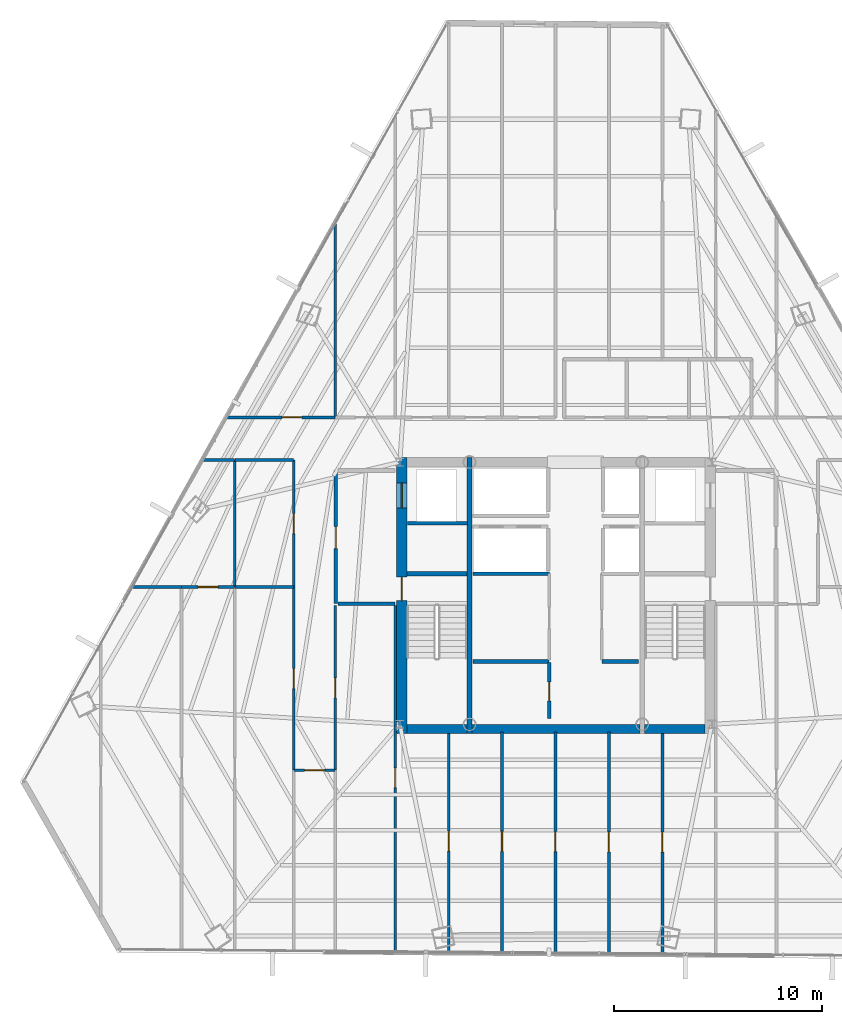
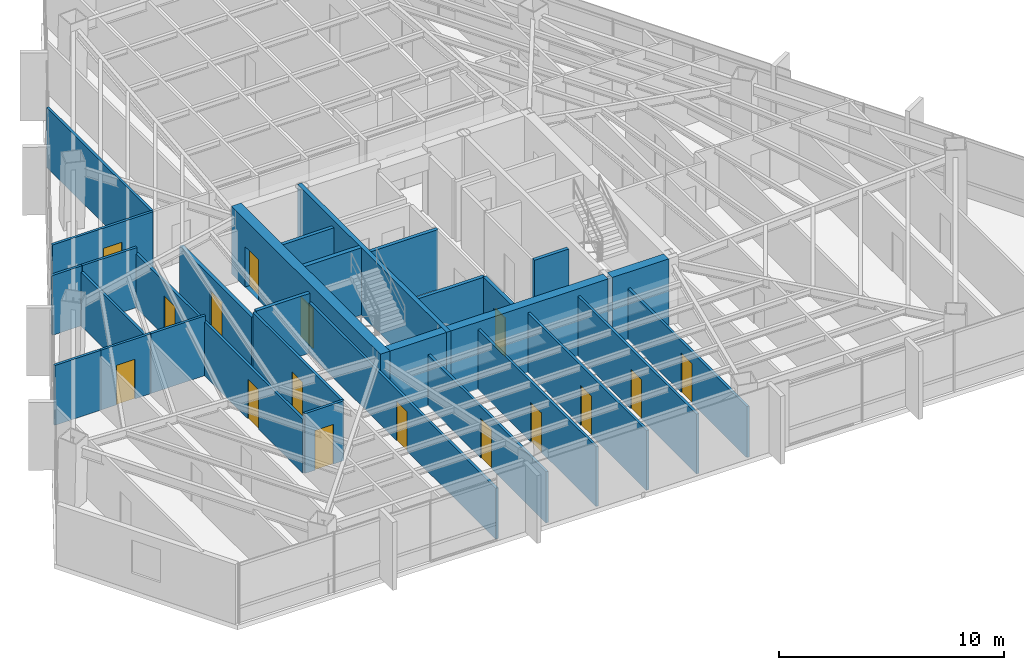
# One storey, part 34 of 40: 31 walls, 16 doors, 16 openings.
"""IFC4 building model written with IfcOpenShell, lengths in metres."""

from ifc_helpers import new_model, si_unit, direction, frame, frame_2d, origin, place, context, subcontext, project, spatial, rectangle, extrude, material, layer, layer_set, type_object, element, fill, save


model = new_model("IFC4")

# Units and contexts
model_context = context("Model", 3, precision=1e-05, world=origin(), true_north=direction((0.0, 1.0)))
body_context = subcontext(model_context, "Body", "Model", "MODEL_VIEW")
ifc_project = project(units=[si_unit("LENGTHUNIT", "METRE"), si_unit("AREAUNIT", "SQUARE_METRE"), si_unit("VOLUMEUNIT", "CUBIC_METRE"), si_unit("PLANEANGLEUNIT", "RADIAN"), si_unit("MASSUNIT", "GRAM", prefix="KILO")], contexts=[model_context])

# Site, building, storey
site_placement = place(None, origin())
site = spatial("IfcSite", under=ifc_project, at=site_placement, CompositionType="ELEMENT")
building_placement = place(site_placement, origin())
building = spatial("IfcBuilding", under=site, at=building_placement, Name="Caelisora Broadcast Tower", CompositionType="ELEMENT")
storey_placement = place(building_placement, frame((0.0, 0.0, 146.39990234375)))
storey = spatial("IfcBuildingStorey", under=building, at=storey_placement, Name="L38", CompositionType="ELEMENT", Elevation=146.39990234375)

# Wall, openings, doors
ifc_material_1 = material(Name="Concrete 50 MPa (AS 3600 S50)", Category="concrete")
ifc_layer_1 = layer(ifc_material_1, 0.5, Name="Concrete 50 MPa (AS 3600 S50)")
ifc_layer_set_1 = layer_set([ifc_layer_1], Name="Concrete 50 MPa (AS 3600 S50)")
wall_type_1 = type_object("IfcWallType", Name="CW2", PredefinedType="SHEAR", material=ifc_layer_set_1)
wall_1_placement = place(storey_placement, frame((30.590087890625, 16.949951171875, 0.0), z_axis=(0.0, 0.0, 1.0), x_axis=(0.0, 1.0, 0.0)))
wall_1 = element("IfcWall", 1, at=wall_1_placement, inside=storey, type_object=wall_type_1, Name="L38 core shear wall CW2", PredefinedType="SHEAR", context=body_context, shape_type="SweptSolid", body=[
    extrude(rectangle(XDim=13.275146484375, YDim=0.5, at=frame_2d((6.6376953125, 0.0))), origin(), (0.0, 0.0, 1.0), 3.650146484375),
])
opening_1_placement = place(wall_1_placement, frame((6.39990234375, 0.0, 0.0)))
opening_1 = element("IfcOpeningElement", 2, at=opening_1_placement, cuts=wall_1, Name="Opening FD04", PredefinedType="OPENING", context=body_context, shape_type="SweptSolid", body=[
    extrude(rectangle(XDim=1.1201171875, YDim=2.14990234375, at=frame_2d((0.56005859375, 1.074951171875))), frame((0.0, 0.261962890625, 0.0), z_axis=(0.0, -1.0, 0.0), x_axis=(1.0, 0.0, 0.0)), (0.0, 0.0, 1.0), 0.52392578125),
])
opening_2_placement = place(wall_1_placement, frame((10.85009765625, 0.0, 0.0)))
opening_2 = element("IfcOpeningElement", 3, at=opening_2_placement, cuts=wall_1, Name="Opening LD04", PredefinedType="OPENING", context=body_context, shape_type="SweptSolid", body=[
    extrude(rectangle(XDim=1.199951171875, YDim=2.199951171875, at=frame_2d((0.60009765625, 1.10009765625))), frame((0.0, 0.261962890625, 0.0), z_axis=(0.0, -1.0, 0.0), x_axis=(1.0, 0.0, 0.0)), (0.0, 0.0, 1.0), 0.52392578125),
])
ifc_material_2 = material(Name="Pressurised Fire-Isolated Stair Door", Category="steel")
door_type_1 = type_object("IfcDoorType", Name="FD04", OperationType="NOTDEFINED", PredefinedType="DOOR", material=ifc_material_2)
door_1_placement = place(opening_1_placement, origin())
door_1 = element("IfcDoor", 4, at=door_1_placement, inside=storey, type_object=door_type_1, Name="L38 door FD04 (L38-DR-ST1)", OperationType="SINGLE_SWING_LEFT", OverallHeight=2.14990234375, OverallWidth=1.1201171875, PredefinedType="DOOR", context=body_context, shape_type="SweptSolid", body=[
    extrude(rectangle(XDim=1.1201171875, YDim=2.14990234375, at=frame_2d((0.56005859375, 1.074951171875))), frame((0.0, 0.02490234375, 0.0), z_axis=(0.0, -1.0, 0.0), x_axis=(1.0, 0.0, 0.0)), (0.0, 0.0, 1.0), 0.050048828125),
])
fill(opening_1, door_1)
ifc_material_3 = material(Name="Emergency Firefighting Lift Sliding Landing Door", Category="steel")
door_type_2 = type_object("IfcDoorType", Name="LD04", OperationType="NOTDEFINED", PredefinedType="DOOR", material=ifc_material_3)
door_2_placement = place(opening_2_placement, origin())
door_2 = element("IfcDoor", 5, at=door_2_placement, inside=storey, type_object=door_type_2, Name="L38 door LD04 (L38-LD-FFL1)", OperationType="SLIDING_TO_LEFT", OverallHeight=2.199951171875, OverallWidth=1.199951171875, PredefinedType="DOOR", context=body_context, shape_type="SweptSolid", body=[
    extrude(rectangle(XDim=1.199951171875, YDim=2.199951171875, at=frame_2d((0.60009765625, 1.10009765625))), frame((0.0, 0.02490234375, 0.0), z_axis=(0.0, -1.0, 0.0), x_axis=(1.0, 0.0, 0.0)), (0.0, 0.0, 1.0), 0.050048828125),
])
fill(opening_2, door_2)

# Walls
ifc_layer_2 = layer(ifc_material_1, 0.449951171875, Name="Concrete 50 MPa (AS 3600 S50)")
ifc_layer_set_2 = layer_set([ifc_layer_2], Name="Concrete 50 MPa (AS 3600 S50)")
wall_type_2 = type_object("IfcWallType", Name="CW5", PredefinedType="SHEAR", material=ifc_layer_set_2)
wall_2_placement = place(storey_placement, frame((30.840087890625, 17.175048828125, 0.0), z_axis=(0.0, 0.0, 1.0), x_axis=(1.0, 0.0, 0.0)))
element("IfcWall", 6, at=wall_2_placement, inside=storey, type_object=wall_type_2, Name="L38 core shear wall CW5", PredefinedType="SHEAR", context=body_context, shape_type="SweptSolid", body=[
    extrude(rectangle(XDim=2.89990234375, YDim=0.449951171875, at=frame_2d((1.449951171875, 0.0))), origin(), (0.0, 0.0, 1.0), 3.650146484375),
])
wall_3_placement = place(storey_placement, frame((33.9599609375, 17.175048828125, 0.0), z_axis=(0.0, 0.0, 1.0), x_axis=(1.0, 0.0, 0.0)))
element("IfcWall", 7, at=wall_3_placement, inside=storey, type_object=wall_type_2, Name="L38 core shear wall CW5", PredefinedType="SHEAR", context=body_context, shape_type="SweptSolid", body=[
    extrude(rectangle(XDim=8.080078125, YDim=0.449951171875, at=frame_2d((4.0400390625, 0.0))), origin(), (0.0, 0.0, 1.0), 3.650146484375),
])
wall_4_placement = place(storey_placement, frame((42.260009765625, 17.175048828125, 0.0), z_axis=(0.0, 0.0, 1.0), x_axis=(1.0, 0.0, 0.0)))
element("IfcWall", 8, at=wall_4_placement, inside=storey, type_object=wall_type_2, Name="L38 core shear wall CW5", PredefinedType="SHEAR", context=body_context, shape_type="SweptSolid", body=[
    extrude(rectangle(XDim=2.89990234375, YDim=0.449951171875, at=frame_2d((1.449951171875, 0.0))), origin(), (0.0, 0.0, 1.0), 3.650146484375),
])
ifc_layer_3 = layer(ifc_material_1, 0.219970703125, Name="Concrete 50 MPa (AS 3600 S50)")
ifc_layer_set_3 = layer_set([ifc_layer_3], Name="Concrete 50 MPa (AS 3600 S50)")
wall_type_3 = type_object("IfcWallType", Name="CW7", PredefinedType="SHEAR", material=ifc_layer_set_3)
wall_5_placement = place(storey_placement, frame((33.85009765625, 16.949951171875, 0.0), z_axis=(0.0, 0.0, 1.0), x_axis=(0.0, 1.0, 0.0)))
element("IfcWall", 9, at=wall_5_placement, inside=storey, type_object=wall_type_3, Name="L38 core shear wall CW7", PredefinedType="SHEAR", context=body_context, shape_type="SweptSolid", body=[
    extrude(rectangle(XDim=13.275146484375, YDim=0.219970703125, at=frame_2d((6.6376953125, 0.0))), origin(), (0.0, 0.0, 1.0), 3.650146484375),
])
wall_6_placement = place(storey_placement, frame((30.840087890625, 24.639892578125, 0.0), z_axis=(0.0, 0.0, 1.0), x_axis=(1.0, 0.0, 0.0)))
element("IfcWall", 10, at=wall_6_placement, inside=storey, type_object=wall_type_3, Name="L38 core shear wall CW7", PredefinedType="SHEAR", context=body_context, shape_type="SweptSolid", body=[
    extrude(rectangle(XDim=2.89990234375, YDim=0.219970703125, at=frame_2d((1.449951171875, 0.0))), origin(), (0.0, 0.0, 1.0), 3.650146484375),
])
ifc_material_4 = material(Name="Fire-Rated Gypsum Shaft and Compartment Wall", Category="gypsum")
ifc_layer_4 = layer(ifc_material_4, 0.179931640625, Name="Fire-Rated Gypsum Shaft and Compartment Wall")
ifc_layer_set_4 = layer_set([ifc_layer_4], Name="Fire-Rated Gypsum Shaft and Compartment Wall")
wall_type_4 = type_object("IfcWallType", Name="PW2", PredefinedType="PARTITIONING", material=ifc_layer_set_4)
wall_7_placement = place(storey_placement, frame((34.02001953125, 24.639892578125, 0.0), z_axis=(0.0, 0.0, 1.0), x_axis=(1.0, 0.0, 0.0)))
element("IfcWall", 11, at=wall_7_placement, inside=storey, type_object=wall_type_4, Name="L38 fire compartment wall PW2", PredefinedType="PARTITIONING", context=body_context, shape_type="SweptSolid", body=[
    extrude(rectangle(XDim=3.679931640625, YDim=0.179931640625, at=frame_2d((1.83984375, 0.0))), origin(), (0.0, 0.0, 1.0), 3.25),
])

# Wall, opening, door
wall_8_placement = place(storey_placement, frame((27.419921875, 23.199951171875, 0.0), z_axis=(0.0, 0.0, 1.0), x_axis=(0.0, 1.0, 0.0)))
wall_8 = element("IfcWall", 12, at=wall_8_placement, inside=storey, type_object=wall_type_4, Name="L38 fire compartment wall PW2", PredefinedType="PARTITIONING", context=body_context, shape_type="SweptSolid", body=[
    extrude(rectangle(XDim=6.400146484375, YDim=0.179931640625, at=frame_2d((3.2001953125, 0.0))), origin(), (0.0, 0.0, 1.0), 2.927978515625),
])
opening_3_placement = place(wall_8_placement, frame((2.64990234375, 0.0, 0.0)))
opening_3 = element("IfcOpeningElement", 13, at=opening_3_placement, cuts=wall_8, Name="Opening FD02", PredefinedType="OPENING", context=body_context, shape_type="SweptSolid", body=[
    extrude(rectangle(XDim=1.050048828125, YDim=2.14990234375, at=frame_2d((0.52490234375, 1.074951171875))), frame((0.0, 0.10205078125, 0.0), z_axis=(0.0, -1.0, 0.0), x_axis=(1.0, 0.0, 0.0)), (0.0, 0.0, 1.0), 0.203857421875),
])
ifc_material_5 = material(Name="Single-Leaf Steel Fire Lobby Door", Category="steel")
door_type_3 = type_object("IfcDoorType", Name="FD02", OperationType="NOTDEFINED", PredefinedType="DOOR", material=ifc_material_5)
door_3_placement = place(opening_3_placement, origin())
door_3 = element("IfcDoor", 14, at=door_3_placement, inside=storey, type_object=door_type_3, Name="L38 door FD02 (L38-DR-P01D1)", OperationType="SINGLE_SWING_LEFT", OverallHeight=2.14990234375, OverallWidth=1.050048828125, PredefinedType="DOOR", context=body_context, shape_type="SweptSolid", body=[
    extrude(rectangle(XDim=1.050048828125, YDim=2.14990234375, at=frame_2d((0.52490234375, 1.074951171875))), frame((0.0, 0.02490234375, 0.0), z_axis=(0.0, -1.0, 0.0), x_axis=(1.0, 0.0, 0.0)), (0.0, 0.0, 1.0), 0.050048828125),
])
fill(opening_3, door_3)

# Walls
wall_9_placement = place(storey_placement, frame((27.52001953125, 23.199951171875, 0.0), z_axis=(0.0, 0.0, 1.0), x_axis=(1.0, 0.0, 0.0)))
element("IfcWall", 15, at=wall_9_placement, inside=storey, type_object=wall_type_4, Name="L38 fire compartment wall PW2", PredefinedType="PARTITIONING", context=body_context, shape_type="SweptSolid", body=[
    extrude(rectangle(XDim=2.760009765625, YDim=0.179931640625, at=frame_2d((1.3798828125, 0.0))), origin(), (0.0, 0.0, 1.0), 3.25),
])
wall_10_placement = place(storey_placement, frame((30.860107421875, 27.070068359375, 0.0), z_axis=(0.0, 0.0, 1.0), x_axis=(1.0, 0.0, 0.0)))
element("IfcWall", 16, at=wall_10_placement, inside=storey, type_object=wall_type_4, Name="L38 fire compartment wall PW2", PredefinedType="PARTITIONING", context=body_context, shape_type="SweptSolid", body=[
    extrude(rectangle(XDim=2.89990234375, YDim=0.179931640625, at=frame_2d((1.449951171875, 0.0))), origin(), (0.0, 0.0, 1.0), 3.25),
])
wall_11_placement = place(storey_placement, frame((34.02001953125, 20.419921875, 0.0), z_axis=(0.0, 0.0, 1.0), x_axis=(1.0, 0.0, 0.0)))
element("IfcWall", 17, at=wall_11_placement, inside=storey, type_object=wall_type_4, Name="L38 fire compartment wall PW2", PredefinedType="PARTITIONING", context=body_context, shape_type="SweptSolid", body=[
    extrude(rectangle(XDim=3.639892578125, YDim=0.179931640625, at=frame_2d((1.81982421875, 0.0))), origin(), (0.0, 0.0, 1.0), 3.25),
])
wall_12_placement = place(storey_placement, frame((40.219970703125, 20.419921875, 0.0), z_axis=(0.0, 0.0, 1.0), x_axis=(1.0, 0.0, 0.0)))
element("IfcWall", 18, at=wall_12_placement, inside=storey, type_object=wall_type_4, Name="L38 fire compartment wall PW2", PredefinedType="PARTITIONING", context=body_context, shape_type="SweptSolid", body=[
    extrude(rectangle(XDim=1.760009765625, YDim=0.179931640625, at=frame_2d((0.8798828125, 0.0))), origin(), (0.0, 0.0, 1.0), 3.25),
])

# Wall, opening, door
wall_13_placement = place(storey_placement, frame((37.679931640625, 17.679931640625, 0.0), z_axis=(0.0, 0.0, 1.0), x_axis=(0.0, 1.0, 0.0)))
wall_13 = element("IfcWall", 19, at=wall_13_placement, inside=storey, type_object=wall_type_4, Name="L38 fire compartment wall PW2", PredefinedType="PARTITIONING", context=body_context, shape_type="SweptSolid", body=[
    extrude(rectangle(XDim=2.699951171875, YDim=0.179931640625, at=frame_2d((1.35009765625, 0.0))), origin(), (0.0, 0.0, 1.0), 3.25),
])
opening_4_placement = place(wall_13_placement, frame((0.85009765625, 0.0, 0.0)))
opening_4 = element("IfcOpeningElement", 20, at=opening_4_placement, cuts=wall_13, Name="Opening FD03", PredefinedType="OPENING", context=body_context, shape_type="SweptSolid", body=[
    extrude(rectangle(XDim=0.89990234375, YDim=2.10009765625, at=frame_2d((0.449951171875, 1.050048828125))), frame((0.0, 0.10205078125, 0.0), z_axis=(0.0, -1.0, 0.0), x_axis=(1.0, 0.0, 0.0)), (0.0, 0.0, 1.0), 0.203857421875),
])
ifc_material_6 = material(Name="Single-Leaf Steel Riser Fire Access Door", Category="steel")
door_type_4 = type_object("IfcDoorType", Name="FD03", OperationType="NOTDEFINED", PredefinedType="DOOR", material=ifc_material_6)
door_4_placement = place(opening_4_placement, origin())
door_4 = element("IfcDoor", 21, at=door_4_placement, inside=storey, type_object=door_type_4, Name="L38 door FD03 (L38-DR-P13D1)", OperationType="SINGLE_SWING_LEFT", OverallHeight=2.10009765625, OverallWidth=0.89990234375, PredefinedType="DOOR", context=body_context, shape_type="SweptSolid", body=[
    extrude(rectangle(XDim=0.89990234375, YDim=2.10009765625, at=frame_2d((0.449951171875, 1.050048828125))), frame((0.0, 0.02490234375, 0.0), z_axis=(0.0, -1.0, 0.0), x_axis=(1.0, 0.0, 0.0)), (0.0, 0.0, 1.0), 0.050048828125),
])
fill(opening_4, door_4)

ifc_material_7 = material(Name="Acoustic Steel-Stud Plasterboard Partition", Category="gypsum")
ifc_layer_5 = layer(ifc_material_7, 0.1298828125, Name="Acoustic Steel-Stud Plasterboard Partition")
ifc_layer_set_5 = layer_set([ifc_layer_5], Name="Acoustic Steel-Stud Plasterboard Partition")
wall_type_5 = type_object("IfcWallType", Name="PW3", PredefinedType="PARTITIONING", material=ifc_layer_set_5)
wall_14_placement = place(storey_placement, frame((30.280029296875, 6.4658203125, 0.0), z_axis=(0.0, 0.0, 1.0), x_axis=(0.0, 1.0, 0.0)))
wall_14 = element("IfcWall", 22, at=wall_14_placement, inside=storey, type_object=wall_type_5, Name="L38 internal partition PW3", PredefinedType="PARTITIONING", context=body_context, shape_type="SweptSolid", body=[
    extrude(rectangle(XDim=16.63916015625, YDim=0.1298828125, at=frame_2d((8.319580078125, 0.0))), origin(), (0.0, 0.0, 1.0), 2.774658203125),
])
opening_5_placement = place(wall_14_placement, frame((7.886962890625, 0.0, 0.0)))
opening_5 = element("IfcOpeningElement", 23, at=opening_5_placement, cuts=wall_14, Name="Opening D01", PredefinedType="OPENING", context=body_context, shape_type="SweptSolid", body=[
    extrude(rectangle(XDim=0.9599609375, YDim=2.14990234375, at=frame_2d((0.47998046875, 1.074951171875))), frame((0.0, 0.076904296875, 0.0), z_axis=(0.0, -1.0, 0.0), x_axis=(1.0, 0.0, 0.0)), (0.0, 0.0, 1.0), 0.15380859375),
])
ifc_material_8 = material(Name="Solid-Core Timber Acoustic Office Door", Category="wood")
door_type_5 = type_object("IfcDoorType", Name="D01", OperationType="NOTDEFINED", PredefinedType="DOOR", material=ifc_material_8)
door_5_placement = place(opening_5_placement, origin())
door_5 = element("IfcDoor", 24, at=door_5_placement, inside=storey, type_object=door_type_5, Name="L38 door D01 (L38-DR-P37D1)", OperationType="SINGLE_SWING_LEFT", OverallHeight=2.14990234375, OverallWidth=0.9599609375, PredefinedType="DOOR", context=body_context, shape_type="SweptSolid", body=[
    extrude(rectangle(XDim=0.9599609375, YDim=2.14990234375, at=frame_2d((0.47998046875, 1.074951171875))), frame((0.0, 0.02490234375, 0.0), z_axis=(0.0, -1.0, 0.0), x_axis=(1.0, 0.0, 0.0)), (0.0, 0.0, 1.0), 0.050048828125),
])
fill(opening_5, door_5)

wall_15_placement = place(storey_placement, frame((43.1201171875, 6.360107421875, 0.0), z_axis=(0.0, 0.0, 1.0), x_axis=(0.0, 1.0, 0.0)))
wall_15 = element("IfcWall", 25, at=wall_15_placement, inside=storey, type_object=wall_type_5, Name="L38 internal partition PW3", PredefinedType="PARTITIONING", context=body_context, shape_type="SweptSolid", body=[
    extrude(rectangle(XDim=10.664794921875, YDim=0.1298828125, at=frame_2d((5.33251953125, 0.0))), origin(), (0.0, 0.0, 1.0), 2.774658203125),
])
opening_6_placement = place(wall_15_placement, frame((4.89697265625, 0.0, 0.0)))
opening_6 = element("IfcOpeningElement", 26, at=opening_6_placement, cuts=wall_15, Name="Opening D01", PredefinedType="OPENING", context=body_context, shape_type="SweptSolid", body=[
    extrude(rectangle(XDim=0.9599609375, YDim=2.14990234375, at=frame_2d((0.47998046875, 1.074951171875))), frame((0.0, 0.076904296875, 0.0), z_axis=(0.0, -1.0, 0.0), x_axis=(1.0, 0.0, 0.0)), (0.0, 0.0, 1.0), 0.15380859375),
])
door_6_placement = place(opening_6_placement, origin())
door_6 = element("IfcDoor", 27, at=door_6_placement, inside=storey, type_object=door_type_5, Name="L38 door D01 (L38-DR-P43D1)", OperationType="SINGLE_SWING_LEFT", OverallHeight=2.14990234375, OverallWidth=0.9599609375, PredefinedType="DOOR", context=body_context, shape_type="SweptSolid", body=[
    extrude(rectangle(XDim=0.9599609375, YDim=2.14990234375, at=frame_2d((0.47998046875, 1.074951171875))), frame((0.0, 0.02490234375, 0.0), z_axis=(0.0, -1.0, 0.0), x_axis=(1.0, 0.0, 0.0)), (0.0, 0.0, 1.0), 0.050048828125),
])
fill(opening_6, door_6)

wall_16_placement = place(storey_placement, frame((40.550048828125, 6.38134765625, 0.0), z_axis=(0.0, 0.0, 1.0), x_axis=(0.0, 1.0, 0.0)))
wall_16 = element("IfcWall", 28, at=wall_16_placement, inside=storey, type_object=wall_type_5, Name="L38 internal partition PW3", PredefinedType="PARTITIONING", context=body_context, shape_type="SweptSolid", body=[
    extrude(rectangle(XDim=10.6435546875, YDim=0.1298828125, at=frame_2d((5.32177734375, 0.0))), origin(), (0.0, 0.0, 1.0), 3.25),
])
opening_7_placement = place(wall_16_placement, frame((4.886962890625, 0.0, 0.0)))
opening_7 = element("IfcOpeningElement", 29, at=opening_7_placement, cuts=wall_16, Name="Opening D01", PredefinedType="OPENING", context=body_context, shape_type="SweptSolid", body=[
    extrude(rectangle(XDim=0.9599609375, YDim=2.14990234375, at=frame_2d((0.47998046875, 1.074951171875))), frame((0.0, 0.076904296875, 0.0), z_axis=(0.0, -1.0, 0.0), x_axis=(1.0, 0.0, 0.0)), (0.0, 0.0, 1.0), 0.15380859375),
])
door_7_placement = place(opening_7_placement, origin())
door_7 = element("IfcDoor", 30, at=door_7_placement, inside=storey, type_object=door_type_5, Name="L38 door D01 (L38-DR-P44D1)", OperationType="SINGLE_SWING_RIGHT", OverallHeight=2.14990234375, OverallWidth=0.9599609375, PredefinedType="DOOR", context=body_context, shape_type="SweptSolid", body=[
    extrude(rectangle(XDim=0.9599609375, YDim=2.14990234375, at=frame_2d((0.47998046875, 1.074951171875))), frame((0.0, 0.02490234375, 0.0), z_axis=(0.0, -1.0, 0.0), x_axis=(1.0, 0.0, 0.0)), (0.0, 0.0, 1.0), 0.050048828125),
])
fill(opening_7, door_7)

wall_17_placement = place(storey_placement, frame((37.97998046875, 6.40234375, 0.0), z_axis=(0.0, 0.0, 1.0), x_axis=(0.0, 1.0, 0.0)))
wall_17 = element("IfcWall", 31, at=wall_17_placement, inside=storey, type_object=wall_type_5, Name="L38 internal partition PW3", PredefinedType="PARTITIONING", context=body_context, shape_type="SweptSolid", body=[
    extrude(rectangle(XDim=10.62255859375, YDim=0.1298828125, at=frame_2d((5.311279296875, 0.0))), origin(), (0.0, 0.0, 1.0), 3.25),
])
opening_8_placement = place(wall_17_placement, frame((4.876953125, 0.0, 0.0)))
opening_8 = element("IfcOpeningElement", 32, at=opening_8_placement, cuts=wall_17, Name="Opening D01", PredefinedType="OPENING", context=body_context, shape_type="SweptSolid", body=[
    extrude(rectangle(XDim=0.9599609375, YDim=2.14990234375, at=frame_2d((0.47998046875, 1.074951171875))), frame((0.0, 0.076904296875, 0.0), z_axis=(0.0, -1.0, 0.0), x_axis=(1.0, 0.0, 0.0)), (0.0, 0.0, 1.0), 0.15380859375),
])
door_8_placement = place(opening_8_placement, origin())
door_8 = element("IfcDoor", 33, at=door_8_placement, inside=storey, type_object=door_type_5, Name="L38 door D01 (L38-DR-P45D1)", OperationType="SINGLE_SWING_LEFT", OverallHeight=2.14990234375, OverallWidth=0.9599609375, PredefinedType="DOOR", context=body_context, shape_type="SweptSolid", body=[
    extrude(rectangle(XDim=0.9599609375, YDim=2.14990234375, at=frame_2d((0.47998046875, 1.074951171875))), frame((0.0, 0.02490234375, 0.0), z_axis=(0.0, -1.0, 0.0), x_axis=(1.0, 0.0, 0.0)), (0.0, 0.0, 1.0), 0.050048828125),
])
fill(opening_8, door_8)

wall_18_placement = place(storey_placement, frame((35.409912109375, 6.423583984375, 0.0), z_axis=(0.0, 0.0, 1.0), x_axis=(0.0, 1.0, 0.0)))
wall_18 = element("IfcWall", 34, at=wall_18_placement, inside=storey, type_object=wall_type_5, Name="L38 internal partition PW3", PredefinedType="PARTITIONING", context=body_context, shape_type="SweptSolid", body=[
    extrude(rectangle(XDim=10.601318359375, YDim=0.1298828125, at=frame_2d((5.30078125, 0.0))), origin(), (0.0, 0.0, 1.0), 3.25),
])
opening_9_placement = place(wall_18_placement, frame((4.866943359375, 0.0, 0.0)))
opening_9 = element("IfcOpeningElement", 35, at=opening_9_placement, cuts=wall_18, Name="Opening D01", PredefinedType="OPENING", context=body_context, shape_type="SweptSolid", body=[
    extrude(rectangle(XDim=0.9599609375, YDim=2.14990234375, at=frame_2d((0.47998046875, 1.074951171875))), frame((0.0, 0.076904296875, 0.0), z_axis=(0.0, -1.0, 0.0), x_axis=(1.0, 0.0, 0.0)), (0.0, 0.0, 1.0), 0.15380859375),
])
door_9_placement = place(opening_9_placement, origin())
door_9 = element("IfcDoor", 36, at=door_9_placement, inside=storey, type_object=door_type_5, Name="L38 door D01 (L38-DR-P46D1)", OperationType="SINGLE_SWING_RIGHT", OverallHeight=2.14990234375, OverallWidth=0.9599609375, PredefinedType="DOOR", context=body_context, shape_type="SweptSolid", body=[
    extrude(rectangle(XDim=0.9599609375, YDim=2.14990234375, at=frame_2d((0.47998046875, 1.074951171875))), frame((0.0, 0.02490234375, 0.0), z_axis=(0.0, -1.0, 0.0), x_axis=(1.0, 0.0, 0.0)), (0.0, 0.0, 1.0), 0.050048828125),
])
fill(opening_9, door_9)

wall_19_placement = place(storey_placement, frame((32.85009765625, 6.444580078125, 0.0), z_axis=(0.0, 0.0, 1.0), x_axis=(0.0, 1.0, 0.0)))
wall_19 = element("IfcWall", 37, at=wall_19_placement, inside=storey, type_object=wall_type_5, Name="L38 internal partition PW3", PredefinedType="PARTITIONING", context=body_context, shape_type="SweptSolid", body=[
    extrude(rectangle(XDim=10.580322265625, YDim=0.1298828125, at=frame_2d((5.2900390625, 0.0))), origin(), (0.0, 0.0, 1.0), 2.774658203125),
])
opening_10_placement = place(wall_19_placement, frame((4.85693359375, 0.0, 0.0)))
opening_10 = element("IfcOpeningElement", 38, at=opening_10_placement, cuts=wall_19, Name="Opening D01", PredefinedType="OPENING", context=body_context, shape_type="SweptSolid", body=[
    extrude(rectangle(XDim=0.9599609375, YDim=2.14990234375, at=frame_2d((0.47998046875, 1.074951171875))), frame((0.0, 0.076904296875, 0.0), z_axis=(0.0, -1.0, 0.0), x_axis=(1.0, 0.0, 0.0)), (0.0, 0.0, 1.0), 0.15380859375),
])
door_10_placement = place(opening_10_placement, origin())
door_10 = element("IfcDoor", 39, at=door_10_placement, inside=storey, type_object=door_type_5, Name="L38 door D01 (L38-DR-P47D1)", OperationType="SINGLE_SWING_LEFT", OverallHeight=2.14990234375, OverallWidth=0.9599609375, PredefinedType="DOOR", context=body_context, shape_type="SweptSolid", body=[
    extrude(rectangle(XDim=0.9599609375, YDim=2.14990234375, at=frame_2d((0.47998046875, 1.074951171875))), frame((0.0, 0.02490234375, 0.0), z_axis=(0.0, -1.0, 0.0), x_axis=(1.0, 0.0, 0.0)), (0.0, 0.0, 1.0), 0.050048828125),
])
fill(opening_10, door_10)

# Wall
wall_20_placement = place(storey_placement, frame((27.39990234375, 32.155029296875, 0.0), z_axis=(0.0, 0.0, 1.0), x_axis=(0.0, 1.0, 0.0)))
element("IfcWall", 40, at=wall_20_placement, inside=storey, type_object=wall_type_5, Name="L38 internal partition PW3", PredefinedType="PARTITIONING", context=body_context, shape_type="SweptSolid", body=[
    extrude(rectangle(XDim=9.315673828125, YDim=0.1298828125, at=frame_2d((4.65771484375, 0.0))), origin(), (0.0, 0.0, 1.0), 3.25),
])

# Wall, opening, door
wall_21_placement = place(storey_placement, frame((25.39990234375, 15.205078125, 0.0), z_axis=(0.0, 0.0, 1.0), x_axis=(0.0, 1.0, 0.0)))
wall_21 = element("IfcWall", 41, at=wall_21_placement, inside=storey, type_object=wall_type_5, Name="L38 internal partition PW3", PredefinedType="PARTITIONING", context=body_context, shape_type="SweptSolid", body=[
    extrude(rectangle(XDim=8.7900390625, YDim=0.1298828125, at=frame_2d((4.39501953125, 0.0))), origin(), (0.0, 0.0, 1.0), 2.927978515625),
])
opening_11_placement = place(wall_21_placement, frame((3.9150390625, 0.0, 0.0)))
opening_11 = element("IfcOpeningElement", 42, at=opening_11_placement, cuts=wall_21, Name="Opening D01", PredefinedType="OPENING", context=body_context, shape_type="SweptSolid", body=[
    extrude(rectangle(XDim=0.9599609375, YDim=2.14990234375, at=frame_2d((0.47998046875, 1.074951171875))), frame((0.0, 0.076904296875, 0.0), z_axis=(0.0, -1.0, 0.0), x_axis=(1.0, 0.0, 0.0)), (0.0, 0.0, 1.0), 0.15380859375),
])
door_11_placement = place(opening_11_placement, origin())
door_11 = element("IfcDoor", 43, at=door_11_placement, inside=storey, type_object=door_type_5, Name="L38 door D01 (L38-DR-P52D1)", OperationType="SINGLE_SWING_LEFT", OverallHeight=2.14990234375, OverallWidth=0.9599609375, PredefinedType="DOOR", context=body_context, shape_type="SweptSolid", body=[
    extrude(rectangle(XDim=0.9599609375, YDim=2.14990234375, at=frame_2d((0.47998046875, 1.074951171875))), frame((0.0, 0.02490234375, 0.0), z_axis=(0.0, -1.0, 0.0), x_axis=(1.0, 0.0, 0.0)), (0.0, 0.0, 1.0), 0.050048828125),
])
fill(opening_11, door_11)

wall_22_placement = place(storey_placement, frame((27.39990234375, 15.205078125, 0.0), z_axis=(0.0, 0.0, 1.0), x_axis=(0.0, 1.0, 0.0)))
wall_22 = element("IfcWall", 44, at=wall_22_placement, inside=storey, type_object=wall_type_5, Name="L38 internal partition PW3", PredefinedType="PARTITIONING", context=body_context, shape_type="SweptSolid", body=[
    extrude(rectangle(XDim=7.89990234375, YDim=0.1298828125, at=frame_2d((3.949951171875, 0.0))), origin(), (0.0, 0.0, 1.0), 3.25),
])
opening_12_placement = place(wall_22_placement, frame((3.469970703125, 0.0, 0.0)))
opening_12 = element("IfcOpeningElement", 45, at=opening_12_placement, cuts=wall_22, Name="Opening D01", PredefinedType="OPENING", context=body_context, shape_type="SweptSolid", body=[
    extrude(rectangle(XDim=0.9599609375, YDim=2.14990234375, at=frame_2d((0.47998046875, 1.074951171875))), frame((0.0, 0.076904296875, 0.0), z_axis=(0.0, -1.0, 0.0), x_axis=(1.0, 0.0, 0.0)), (0.0, 0.0, 1.0), 0.15380859375),
])
door_12_placement = place(opening_12_placement, origin())
door_12 = element("IfcDoor", 46, at=door_12_placement, inside=storey, type_object=door_type_5, Name="L38 door D01 (L38-DR-P55D1)", OperationType="SINGLE_SWING_RIGHT", OverallHeight=2.14990234375, OverallWidth=0.9599609375, PredefinedType="DOOR", context=body_context, shape_type="SweptSolid", body=[
    extrude(rectangle(XDim=0.9599609375, YDim=2.14990234375, at=frame_2d((0.47998046875, 1.074951171875))), frame((0.0, 0.02490234375, 0.0), z_axis=(0.0, -1.0, 0.0), x_axis=(1.0, 0.0, 0.0)), (0.0, 0.0, 1.0), 0.050048828125),
])
fill(opening_12, door_12)

wall_23_placement = place(storey_placement, frame((25.39990234375, 30.094970703125, 0.0), z_axis=(0.0, 0.0, 1.0), x_axis=(0.0, -1.0, 0.0)))
wall_23 = element("IfcWall", 47, at=wall_23_placement, inside=storey, type_object=wall_type_5, Name="L38 internal partition PW3", PredefinedType="PARTITIONING", context=body_context, shape_type="SweptSolid", body=[
    extrude(rectangle(XDim=6.090087890625, YDim=0.1298828125, at=frame_2d((3.044921875, 0.0))), origin(), (0.0, 0.0, 1.0), 2.927978515625),
])
opening_13_placement = place(wall_23_placement, frame((2.56494140625, 0.0, 0.0)))
opening_13 = element("IfcOpeningElement", 48, at=opening_13_placement, cuts=wall_23, Name="Opening D01", PredefinedType="OPENING", context=body_context, shape_type="SweptSolid", body=[
    extrude(rectangle(XDim=0.9599609375, YDim=2.14990234375, at=frame_2d((0.47998046875, 1.074951171875))), frame((0.0, 0.076904296875, 0.0), z_axis=(0.0, -1.0, 0.0), x_axis=(1.0, 0.0, 0.0)), (0.0, 0.0, 1.0), 0.15380859375),
])
door_13_placement = place(opening_13_placement, origin())
door_13 = element("IfcDoor", 49, at=door_13_placement, inside=storey, type_object=door_type_5, Name="L38 door D01 (L38-DR-P56D1)", OperationType="SINGLE_SWING_LEFT", OverallHeight=2.14990234375, OverallWidth=0.9599609375, PredefinedType="DOOR", context=body_context, shape_type="SweptSolid", body=[
    extrude(rectangle(XDim=0.9599609375, YDim=2.14990234375, at=frame_2d((0.47998046875, 1.074951171875))), frame((0.0, 0.02490234375, 0.0), z_axis=(0.0, -1.0, 0.0), x_axis=(1.0, 0.0, 0.0)), (0.0, 0.0, 1.0), 0.050048828125),
])
fill(opening_13, door_13)

# Wall
wall_24_placement = place(storey_placement, frame((22.570068359375, 24.0048828125, 0.0), z_axis=(0.0, 0.0, 1.0), x_axis=(0.0, 1.0, 0.0)))
element("IfcWall", 50, at=wall_24_placement, inside=storey, type_object=wall_type_5, Name="L38 internal partition PW3", PredefinedType="PARTITIONING", context=body_context, shape_type="SweptSolid", body=[
    extrude(rectangle(XDim=6.090087890625, YDim=0.1298828125, at=frame_2d((3.044921875, 0.0))), origin(), (0.0, 0.0, 1.0), 2.927978515625),
])

# Wall, opening, door
wall_25_placement = place(storey_placement, frame((22.21826171875, 32.14990234375, 0.0), z_axis=(0.0, 0.0, 1.0), x_axis=(1.0, 0.0, 0.0)))
wall_25 = element("IfcWall", 51, at=wall_25_placement, inside=storey, type_object=wall_type_5, Name="L38 internal partition PW3", PredefinedType="PARTITIONING", context=body_context, shape_type="SweptSolid", body=[
    extrude(rectangle(XDim=5.1767578125, YDim=0.1298828125, at=frame_2d((2.58837890625, 0.0))), origin(), (0.0, 0.0, 1.0), 3.25),
])
opening_14_placement = place(wall_25_placement, frame((2.6201171875, 0.0, 0.0)))
opening_14 = element("IfcOpeningElement", 52, at=opening_14_placement, cuts=wall_25, Name="Opening D01", PredefinedType="OPENING", context=body_context, shape_type="SweptSolid", body=[
    extrude(rectangle(XDim=0.9599609375, YDim=2.14990234375, at=frame_2d((0.47998046875, 1.074951171875))), frame((0.0, 0.076904296875, 0.0), z_axis=(0.0, -1.0, 0.0), x_axis=(1.0, 0.0, 0.0)), (0.0, 0.0, 1.0), 0.15380859375),
])
door_14_placement = place(opening_14_placement, origin())
door_14 = element("IfcDoor", 53, at=door_14_placement, inside=storey, type_object=door_type_5, Name="L38 door D01 (L38-DR-P59D1)", OperationType="SINGLE_SWING_LEFT", OverallHeight=2.14990234375, OverallWidth=0.9599609375, PredefinedType="DOOR", context=body_context, shape_type="SweptSolid", body=[
    extrude(rectangle(XDim=0.9599609375, YDim=2.14990234375, at=frame_2d((0.47998046875, 1.074951171875))), frame((0.0, 0.02490234375, 0.0), z_axis=(0.0, -1.0, 0.0), x_axis=(1.0, 0.0, 0.0)), (0.0, 0.0, 1.0), 0.050048828125),
])
fill(opening_14, door_14)

# Walls
for number, where, z_axis, x_axis, name in (
    (54, (22.574951171875, 30.10009765625, 0.0), (0.0, 0.0, 1.0), (1.0, 0.0, 0.0), "L38 internal partition PW3"),
    (55, (22.574951171875, 24.0, 0.0), (0.0, 0.0, 1.0), (1.0, 0.0, 0.0), "L38 internal partition PW3"),
):
    element("IfcWall", number, at=place(storey_placement, frame(where, z_axis=z_axis, x_axis=x_axis)), inside=storey, type_object=wall_type_5, Name=name, PredefinedType="PARTITIONING", context=body_context, shape_type="SweptSolid", body=[
        extrude(rectangle(XDim=2.820068359375, YDim=0.1298828125, at=frame_2d((1.41015625, 0.0))), origin(), (0.0, 0.0, 1.0), 3.25),
    ])

# Wall, opening, door
wall_26_placement = place(storey_placement, frame((20.014892578125, 24.0, 0.0), z_axis=(0.0, 0.0, 1.0), x_axis=(1.0, 0.0, 0.0)))
wall_26 = element("IfcWall", 56, at=wall_26_placement, inside=storey, type_object=wall_type_5, Name="L38 internal partition PW3", PredefinedType="PARTITIONING", context=body_context, shape_type="SweptSolid", body=[
    extrude(rectangle(XDim=2.550048828125, YDim=0.1298828125, at=frame_2d((1.27490234375, 0.0))), origin(), (0.0, 0.0, 1.0), 3.25),
])
opening_15_placement = place(wall_26_placement, frame((0.794921875, 0.0, 0.0)))
opening_15 = element("IfcOpeningElement", 57, at=opening_15_placement, cuts=wall_26, Name="Opening D01", PredefinedType="OPENING", context=body_context, shape_type="SweptSolid", body=[
    extrude(rectangle(XDim=0.9599609375, YDim=2.14990234375, at=frame_2d((0.47998046875, 1.074951171875))), frame((0.0, 0.076904296875, 0.0), z_axis=(0.0, -1.0, 0.0), x_axis=(1.0, 0.0, 0.0)), (0.0, 0.0, 1.0), 0.15380859375),
])
door_15_placement = place(opening_15_placement, origin())
door_15 = element("IfcDoor", 58, at=door_15_placement, inside=storey, type_object=door_type_5, Name="L38 door D01 (L38-DR-P69D1)", OperationType="SINGLE_SWING_LEFT", OverallHeight=2.14990234375, OverallWidth=0.9599609375, PredefinedType="DOOR", context=body_context, shape_type="SweptSolid", body=[
    extrude(rectangle(XDim=0.9599609375, YDim=2.14990234375, at=frame_2d((0.47998046875, 1.074951171875))), frame((0.0, 0.02490234375, 0.0), z_axis=(0.0, -1.0, 0.0), x_axis=(1.0, 0.0, 0.0)), (0.0, 0.0, 1.0), 0.050048828125),
])
fill(opening_15, door_15)

# Wall
wall_27_placement = place(storey_placement, frame((17.639404296875, 24.0, 0.0), z_axis=(0.0, 0.0, 1.0), x_axis=(1.0, 0.0, 0.0)))
element("IfcWall", 59, at=wall_27_placement, inside=storey, type_object=wall_type_5, Name="L38 internal partition PW3", PredefinedType="PARTITIONING", context=body_context, shape_type="SweptSolid", body=[
    extrude(rectangle(XDim=2.365478515625, YDim=0.1298828125, at=frame_2d((1.1826171875, 0.0))), origin(), (0.0, 0.0, 1.0), 3.25),
])

# Wall, opening, door
wall_28_placement = place(storey_placement, frame((25.405029296875, 15.199951171875, 0.0), z_axis=(0.0, 0.0, 1.0), x_axis=(1.0, 0.0, 0.0)))
wall_28 = element("IfcWall", 60, at=wall_28_placement, inside=storey, type_object=wall_type_5, Name="L38 internal partition PW3", PredefinedType="PARTITIONING", context=body_context, shape_type="SweptSolid", body=[
    extrude(rectangle(XDim=1.989990234375, YDim=0.1298828125, at=frame_2d((0.9951171875, 0.0))), origin(), (0.0, 0.0, 1.0), 3.25),
])
opening_16_placement = place(wall_28_placement, frame((0.514892578125, 0.0, 0.0)))
opening_16 = element("IfcOpeningElement", 61, at=opening_16_placement, cuts=wall_28, Name="Opening D01", PredefinedType="OPENING", context=body_context, shape_type="SweptSolid", body=[
    extrude(rectangle(XDim=0.9599609375, YDim=2.14990234375, at=frame_2d((0.47998046875, 1.074951171875))), frame((0.0, 0.076904296875, 0.0), z_axis=(0.0, -1.0, 0.0), x_axis=(1.0, 0.0, 0.0)), (0.0, 0.0, 1.0), 0.15380859375),
])
door_16_placement = place(opening_16_placement, origin())
door_16 = element("IfcDoor", 62, at=door_16_placement, inside=storey, type_object=door_type_5, Name="L38 door D01 (L38-DR-P73D1)", OperationType="SINGLE_SWING_RIGHT", OverallHeight=2.14990234375, OverallWidth=0.9599609375, PredefinedType="DOOR", context=body_context, shape_type="SweptSolid", body=[
    extrude(rectangle(XDim=0.9599609375, YDim=2.14990234375, at=frame_2d((0.47998046875, 1.074951171875))), frame((0.0, 0.02490234375, 0.0), z_axis=(0.0, -1.0, 0.0), x_axis=(1.0, 0.0, 0.0)), (0.0, 0.0, 1.0), 0.050048828125),
])
fill(opening_16, door_16)

# Wall
wall_29_placement = place(storey_placement, frame((21.04736328125, 30.10009765625, 0.0), z_axis=(0.0, 0.0, 1.0), x_axis=(1.0, 0.0, 0.0)))
element("IfcWall", 63, at=wall_29_placement, inside=storey, type_object=wall_type_5, Name="L38 internal partition PW3", PredefinedType="PARTITIONING", context=body_context, shape_type="SweptSolid", body=[
    extrude(rectangle(XDim=1.517578125, YDim=0.1298828125, at=frame_2d((0.7587890625, 0.0))), origin(), (0.0, 0.0, 1.0), 3.25),
])

save(model, "model.ifc")
